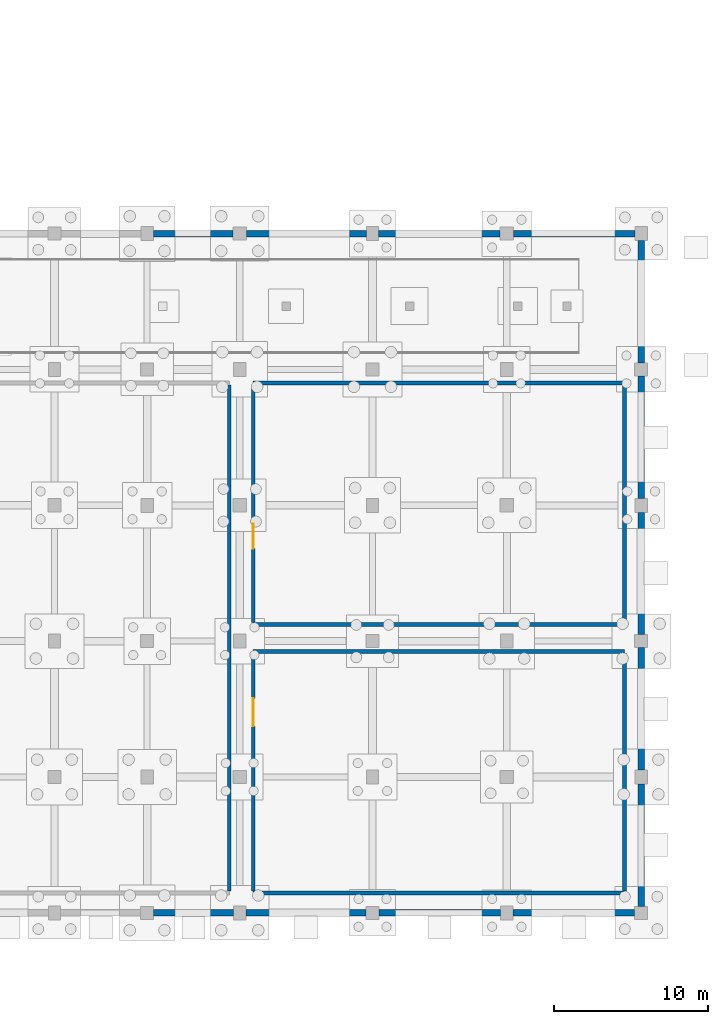
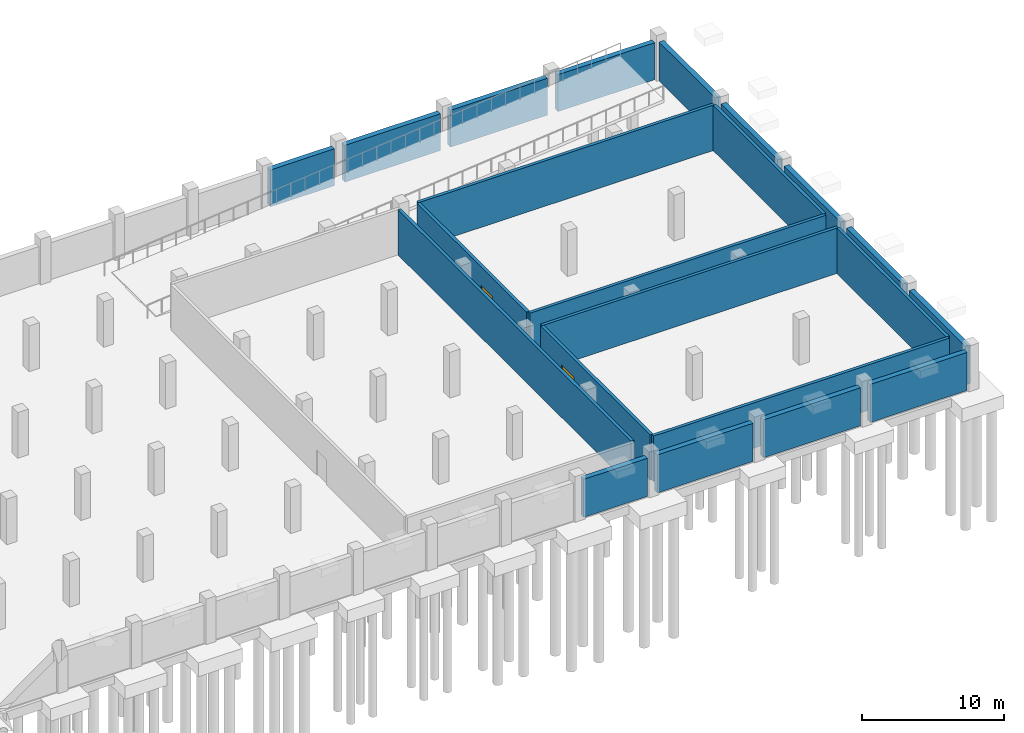
# One storey, part 18 of 28: 22 walls, 2 doors, 2 openings.
"""IFC4 building model written with IfcOpenShell, lengths in metres."""

from ifc_helpers import new_model, si_unit, direction, frame, frame_2d, origin, place, context, subcontext, project, spatial, rectangle, extrude, material, layer, layer_set, type_object, element, fill, save


model = new_model("IFC4")

# Units and contexts
model_context = context("Model", 3, precision=1e-05, world=origin(), true_north=direction((0.0, 1.0)))
body_context = subcontext(model_context, "Body", "Model", "MODEL_VIEW")
ifc_project = project(units=[si_unit("LENGTHUNIT", "METRE"), si_unit("AREAUNIT", "SQUARE_METRE"), si_unit("VOLUMEUNIT", "CUBIC_METRE"), si_unit("PLANEANGLEUNIT", "RADIAN"), si_unit("MASSUNIT", "GRAM", prefix="KILO")], contexts=[model_context])

# Site, building, storey
site_placement = place(None, origin())
site = spatial("IfcSite", under=ifc_project, at=site_placement, CompositionType="ELEMENT")
building_placement = place(site_placement, origin())
building = spatial("IfcBuilding", under=site, at=building_placement, Name="Varnakota Cinema and Media Centre", CompositionType="ELEMENT")
storey_placement = place(building_placement, frame((0.0, 0.0, -4.199951171875)))
storey = spatial("IfcBuildingStorey", under=building, at=storey_placement, Name="B1", CompositionType="ELEMENT", Elevation=-4.199951171875)

# Wall
ifc_material_1 = material(Name="Autoclaved aerated concrete blockwork", Category="masonry")
ifc_layer_1 = layer(ifc_material_1, 0.25)
ifc_layer_set_1 = layer_set([ifc_layer_1], Name="Autoclaved aerated concrete blockwork")
wall_type_1 = type_object("IfcWallType", Name="W-FIRE-250", PredefinedType="SOLIDWALL", material=ifc_layer_set_1)
wall_1_placement = place(storey_placement, frame((159.925048828125, 1.27490234375, 0.0), z_axis=(0.0, 0.0, 1.0), x_axis=(-1.0, 0.0, 0.0)))
element("IfcWall", 1, at=wall_1_placement, inside=storey, type_object=wall_type_1, Name="B1 RWALL-RM-B1-CHILLER S wall", PredefinedType="SOLIDWALL", context=body_context, shape_type="SweptSolid", body=[
    extrude(rectangle(XDim=24.050048828125, YDim=0.25, at=frame_2d((12.02490234375, 0.0))), origin(), (0.0, 0.0, 1.0), 3.89990234375),
])

# Wall, opening, door
wall_2_placement = place(storey_placement, frame((135.875, 1.39990234375, 0.0), z_axis=(0.0, 0.0, 1.0), x_axis=(0.0, 1.0, 0.0)))
wall_2 = element("IfcWall", 2, at=wall_2_placement, inside=storey, type_object=wall_type_1, Name="B1 RWALL-RM-B1-CHILLER W wall", PredefinedType="SOLIDWALL", context=body_context, shape_type="SweptSolid", body=[
    extrude(rectangle(XDim=15.400146484375, YDim=0.25, at=frame_2d((7.7001953125, 0.0))), origin(), (0.0, 0.0, 1.0), 3.89990234375),
])
opening_1_placement = place(wall_2_placement, frame((10.699951171875, 0.0, 0.0)))
opening_1 = element("IfcOpeningElement", 3, at=opening_1_placement, cuts=wall_2, Name="Opening D-041", PredefinedType="OPENING", context=body_context, shape_type="SweptSolid", body=[
    extrude(rectangle(XDim=1.800048828125, YDim=2.35009765625, at=frame_2d((0.89990234375, 1.175048828125))), frame((0.0, 0.125, 0.0), z_axis=(0.0, -1.0, 0.0), x_axis=(1.0, 0.0, 0.0)), (0.0, 0.0, 1.0), 0.25),
])
ifc_material_2 = material(Name="Thermally broken anodised aluminium AW-6063", Category="aluminium")
door_type_1 = type_object("IfcDoorType", Name="DR-PLANT-1800x2350", OperationType="DOUBLE_DOOR_SINGLE_SWING", PredefinedType="DOOR", material=ifc_material_2)
door_1_placement = place(opening_1_placement, origin())
door_1 = element("IfcDoor", 4, at=door_1_placement, inside=storey, type_object=door_type_1, Name="B1 door D-041", OperationType="DOUBLE_DOOR_SINGLE_SWING", OverallHeight=2.35009765625, OverallWidth=1.800048828125, PredefinedType="DOOR", context=body_context, shape_type="SweptSolid", body=[
    extrude(rectangle(XDim=1.800048828125, YDim=2.35009765625, at=frame_2d((0.89990234375, 1.175048828125))), frame((0.0, 0.02490234375, 0.0), z_axis=(0.0, -1.0, 0.0), x_axis=(1.0, 0.0, 0.0)), (0.0, 0.0, 1.0), 0.050048828125),
])
fill(opening_1, door_1)

# Walls
wall_3_placement = place(storey_placement, frame((135.875, 16.925048828125, 0.0), z_axis=(0.0, 0.0, 1.0), x_axis=(1.0, 0.0, 0.0)))
element("IfcWall", 5, at=wall_3_placement, inside=storey, type_object=wall_type_1, Name="B1 RWALL-RM-B1-CHILLER N wall", PredefinedType="SOLIDWALL", context=body_context, shape_type="SweptSolid", body=[
    extrude(rectangle(XDim=24.050048828125, YDim=0.25, at=frame_2d((12.02490234375, 0.0))), origin(), (0.0, 0.0, 1.0), 3.89990234375),
])
wall_4_placement = place(storey_placement, frame((159.925048828125, 16.800048828125, 0.0), z_axis=(0.0, 0.0, 1.0), x_axis=(0.0, -1.0, 0.0)))
element("IfcWall", 6, at=wall_4_placement, inside=storey, type_object=wall_type_1, Name="B1 RWALL-RM-B1-CHILLER E wall", PredefinedType="SOLIDWALL", context=body_context, shape_type="SweptSolid", body=[
    extrude(rectangle(XDim=15.400146484375, YDim=0.25, at=frame_2d((7.7001953125, 0.0))), origin(), (0.0, 0.0, 1.0), 3.89990234375),
])
wall_5_placement = place(storey_placement, frame((159.925048828125, 18.675048828125, 0.0), z_axis=(0.0, 0.0, 1.0), x_axis=(-1.0, 0.0, 0.0)))
element("IfcWall", 7, at=wall_5_placement, inside=storey, type_object=wall_type_1, Name="B1 RWALL-RM-B1-SUB S wall", PredefinedType="SOLIDWALL", context=body_context, shape_type="SweptSolid", body=[
    extrude(rectangle(XDim=24.050048828125, YDim=0.25, at=frame_2d((12.02490234375, 0.0))), origin(), (0.0, 0.0, 1.0), 3.89990234375),
])

# Wall, opening, door
wall_6_placement = place(storey_placement, frame((135.875, 18.800048828125, 0.0), z_axis=(0.0, 0.0, 1.0), x_axis=(0.0, 1.0, 0.0)))
wall_6 = element("IfcWall", 8, at=wall_6_placement, inside=storey, type_object=wall_type_1, Name="B1 RWALL-RM-B1-SUB W wall", PredefinedType="SOLIDWALL", context=body_context, shape_type="SweptSolid", body=[
    extrude(rectangle(XDim=15.39990234375, YDim=0.25, at=frame_2d((7.699951171875, 0.0))), origin(), (0.0, 0.0, 1.0), 3.89990234375),
])
opening_2_placement = place(wall_6_placement, frame((4.800048828125, 0.0, 0.0)))
opening_2 = element("IfcOpeningElement", 9, at=opening_2_placement, cuts=wall_6, Name="Opening D-042", PredefinedType="OPENING", context=body_context, shape_type="SweptSolid", body=[
    extrude(rectangle(XDim=1.60009765625, YDim=2.300048828125, at=frame_2d((0.800048828125, 1.14990234375))), frame((0.0, 0.125, 0.0), z_axis=(0.0, -1.0, 0.0), x_axis=(1.0, 0.0, 0.0)), (0.0, 0.0, 1.0), 0.25),
])
ifc_material_3 = material(Name="Thermally broken anodised aluminium AW-6063", Category="aluminium")
door_type_2 = type_object("IfcDoorType", Name="DR-PLANT-1600x2300", OperationType="DOUBLE_DOOR_SINGLE_SWING", PredefinedType="DOOR", material=ifc_material_3)
door_2_placement = place(opening_2_placement, origin())
door_2 = element("IfcDoor", 10, at=door_2_placement, inside=storey, type_object=door_type_2, Name="B1 door D-042", OperationType="DOUBLE_DOOR_SINGLE_SWING", OverallHeight=2.300048828125, OverallWidth=1.60009765625, PredefinedType="DOOR", context=body_context, shape_type="SweptSolid", body=[
    extrude(rectangle(XDim=1.60009765625, YDim=2.300048828125, at=frame_2d((0.800048828125, 1.14990234375))), frame((0.0, 0.02490234375, 0.0), z_axis=(0.0, -1.0, 0.0), x_axis=(1.0, 0.0, 0.0)), (0.0, 0.0, 1.0), 0.050048828125),
])
fill(opening_2, door_2)

# Walls
wall_7_placement = place(storey_placement, frame((135.875, 34.324951171875, 0.0), z_axis=(0.0, 0.0, 1.0), x_axis=(1.0, 0.0, 0.0)))
element("IfcWall", 11, at=wall_7_placement, inside=storey, type_object=wall_type_1, Name="B1 RWALL-RM-B1-SUB N wall", PredefinedType="SOLIDWALL", context=body_context, shape_type="SweptSolid", body=[
    extrude(rectangle(XDim=24.050048828125, YDim=0.25, at=frame_2d((12.02490234375, 0.0))), origin(), (0.0, 0.0, 1.0), 3.89990234375),
])
wall_8_placement = place(storey_placement, frame((159.925048828125, 34.199951171875, 0.0), z_axis=(0.0, 0.0, 1.0), x_axis=(0.0, -1.0, 0.0)))
element("IfcWall", 12, at=wall_8_placement, inside=storey, type_object=wall_type_1, Name="B1 RWALL-RM-B1-SUB E wall", PredefinedType="SOLIDWALL", context=body_context, shape_type="SweptSolid", body=[
    extrude(rectangle(XDim=15.39990234375, YDim=0.25, at=frame_2d((7.699951171875, 0.0))), origin(), (0.0, 0.0, 1.0), 3.89990234375),
])
wall_9_placement = place(storey_placement, frame((134.324951171875, 34.199951171875, 0.0), z_axis=(0.0, 0.0, 1.0), x_axis=(0.0, -1.0, 0.0)))
element("IfcWall", 13, at=wall_9_placement, inside=storey, type_object=wall_type_1, Name="B1 RWALL-RM-B1-TANKS E wall", PredefinedType="SOLIDWALL", context=body_context, shape_type="SweptSolid", body=[
    extrude(rectangle(XDim=32.800048828125, YDim=0.25, at=frame_2d((16.39990234375, 0.0))), origin(), (0.0, 0.0, 1.0), 3.89990234375),
])
ifc_material_4 = material(Name="Concrete M40", Category="concrete")
ifc_layer_2 = layer(ifc_material_4, 0.419921875)
ifc_layer_set_2 = layer_set([ifc_layer_2], Name="Concrete M40")
wall_type_2 = type_object("IfcWallType", Name="W-RET-420", PredefinedType="USERDEFINED", material=ifc_layer_set_2)
for number, where, z_axis, x_axis, name in (
    (14, (160.574951171875, 0.0, 0.0), (0.0, 0.0, 1.0), (-1.0, 0.0, 0.0), "B1 retaining wall B1-S-1"),
    (15, (151.89990234375, 0.0, 0.0), (0.0, 0.0, 1.0), (-1.0, 0.0, 0.0), "B1 retaining wall B1-S-2"),
):
    element("IfcWall", number, at=place(storey_placement, frame(where, z_axis=z_axis, x_axis=x_axis)), inside=storey, type_object=wall_type_2, Name=name, ObjectType="RETAINING WALL", PredefinedType="USERDEFINED", context=body_context, shape_type="SweptSolid", body=[
        extrude(rectangle(XDim=7.875, YDim=0.419921875, at=frame_2d((3.9375, 0.0))), origin(), (0.0, 0.0, 1.0), 3.27001953125),
    ])
wall_10_placement = place(storey_placement, frame((143.175048828125, 0.0, 0.0), z_axis=(0.0, 0.0, 1.0), x_axis=(-1.0, 0.0, 0.0)))
element("IfcWall", 16, at=wall_10_placement, inside=storey, type_object=wall_type_2, Name="B1 retaining wall B1-S-3", ObjectType="RETAINING WALL", PredefinedType="USERDEFINED", context=body_context, shape_type="SweptSolid", body=[
    extrude(rectangle(XDim=7.775146484375, YDim=0.419921875, at=frame_2d((3.8876953125, 0.0))), origin(), (0.0, 0.0, 1.0), 3.27001953125),
])
wall_11_placement = place(storey_placement, frame((134.60009765625, 0.0, 0.0), z_axis=(0.0, 0.0, 1.0), x_axis=(-1.0, 0.0, 0.0)))
element("IfcWall", 17, at=wall_11_placement, inside=storey, type_object=wall_type_2, Name="B1 retaining wall B1-S-4", ObjectType="RETAINING WALL", PredefinedType="USERDEFINED", context=body_context, shape_type="SweptSolid", body=[
    extrude(rectangle(XDim=5.175048828125, YDim=0.419921875, at=frame_2d((2.58740234375, 0.0))), origin(), (0.0, 0.0, 1.0), 3.27001953125),
])
wall_12_placement = place(storey_placement, frame((129.39990234375, 44.0, 0.0), z_axis=(0.0, 0.0, 1.0), x_axis=(1.0, 0.0, 0.0)))
element("IfcWall", 18, at=wall_12_placement, inside=storey, type_object=wall_type_2, Name="B1 retaining wall B1-NSE-14", ObjectType="RETAINING WALL", PredefinedType="USERDEFINED", context=body_context, shape_type="SweptSolid", body=[
    extrude(rectangle(XDim=5.175048828125, YDim=0.419921875, at=frame_2d((2.58740234375, 0.0))), origin(), (0.0, 0.0, 1.0), 3.169921875),
])
wall_13_placement = place(storey_placement, frame((135.425048828125, 44.0, 0.0), z_axis=(0.0, 0.0, 1.0), x_axis=(1.0, 0.0, 0.0)))
element("IfcWall", 19, at=wall_13_placement, inside=storey, type_object=wall_type_2, Name="B1 retaining wall B1-NSE-15", ObjectType="RETAINING WALL", PredefinedType="USERDEFINED", context=body_context, shape_type="SweptSolid", body=[
    extrude(rectangle(XDim=7.77490234375, YDim=0.419921875, at=frame_2d((3.887451171875, 0.0))), origin(), (0.0, 0.0, 1.0), 3.169921875),
])
for number, where, z_axis, x_axis, name in (
    (20, (144.0, 44.0, 0.0), (0.0, 0.0, 1.0), (1.0, 0.0, 0.0), "B1 retaining wall B1-NSE-16"),
    (21, (152.72509765625, 44.0, 0.0), (0.0, 0.0, 1.0), (1.0, 0.0, 0.0), "B1 retaining wall B1-NSE-17"),
):
    element("IfcWall", number, at=place(storey_placement, frame(where, z_axis=z_axis, x_axis=x_axis)), inside=storey, type_object=wall_type_2, Name=name, ObjectType="RETAINING WALL", PredefinedType="USERDEFINED", context=body_context, shape_type="SweptSolid", body=[
        extrude(rectangle(XDim=7.875, YDim=0.419921875, at=frame_2d((3.9375, 0.0))), origin(), (0.0, 0.0, 1.0), 3.169921875),
    ])
wall_14_placement = place(storey_placement, frame((161.0, 43.550048828125, 0.0), z_axis=(0.0, 0.0, 1.0), x_axis=(0.0, -1.0, 0.0)))
element("IfcWall", 22, at=wall_14_placement, inside=storey, type_object=wall_type_2, Name="B1 retaining wall B1-ESE-1", ObjectType="RETAINING WALL", PredefinedType="USERDEFINED", context=body_context, shape_type="SweptSolid", body=[
    extrude(rectangle(XDim=7.925048828125, YDim=0.419921875, at=frame_2d((3.96240234375, 0.0))), origin(), (0.0, 0.0, 1.0), 3.320068359375),
])
wall_15_placement = place(storey_placement, frame((161.0, 34.77490234375, 0.0), z_axis=(0.0, 0.0, 1.0), x_axis=(0.0, -1.0, 0.0)))
element("IfcWall", 23, at=wall_15_placement, inside=storey, type_object=wall_type_2, Name="B1 retaining wall B1-ESE-2", ObjectType="RETAINING WALL", PredefinedType="USERDEFINED", context=body_context, shape_type="SweptSolid", body=[
    extrude(rectangle(XDim=7.9248046875, YDim=0.419921875, at=frame_2d((3.96240234375, 0.0))), origin(), (0.0, 0.0, 1.0), 3.320068359375),
])
for number, where, z_axis, x_axis, name in (
    (24, (161.0, 25.949951171875, 0.0), (0.0, 0.0, 1.0), (0.0, -1.0, 0.0), "B1 retaining wall B1-ESE-3"),
    (25, (161.0, 17.175048828125, 0.0), (0.0, 0.0, 1.0), (0.0, -1.0, 0.0), "B1 retaining wall B1-ESE-4"),
    (26, (161.0, 8.35009765625, 0.0), (0.0, 0.0, 1.0), (0.0, -1.0, 0.0), "B1 retaining wall B1-ESE-5"),
):
    element("IfcWall", number, at=place(storey_placement, frame(where, z_axis=z_axis, x_axis=x_axis)), inside=storey, type_object=wall_type_2, Name=name, ObjectType="RETAINING WALL", PredefinedType="USERDEFINED", context=body_context, shape_type="SweptSolid", body=[
        extrude(rectangle(XDim=7.925048828125, YDim=0.419921875, at=frame_2d((3.96240234375, 0.0))), origin(), (0.0, 0.0, 1.0), 3.320068359375),
    ])

save(model, "model.ifc")
